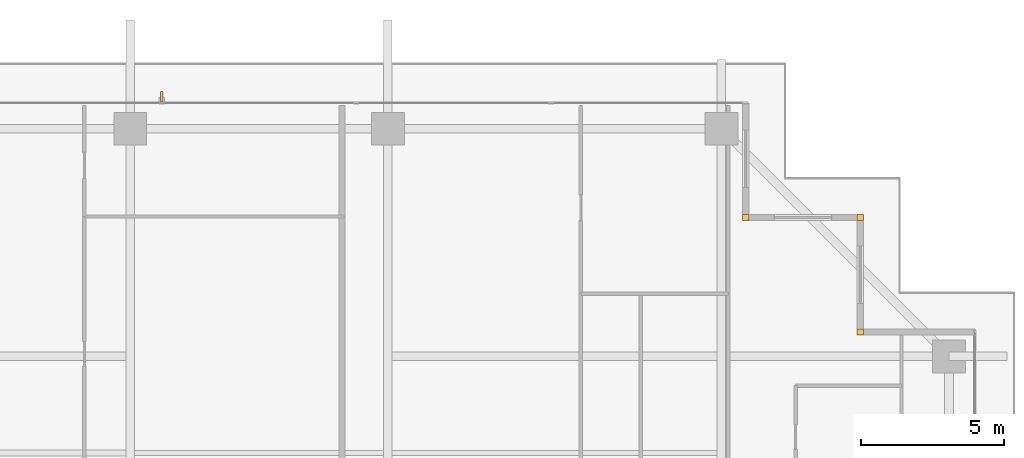
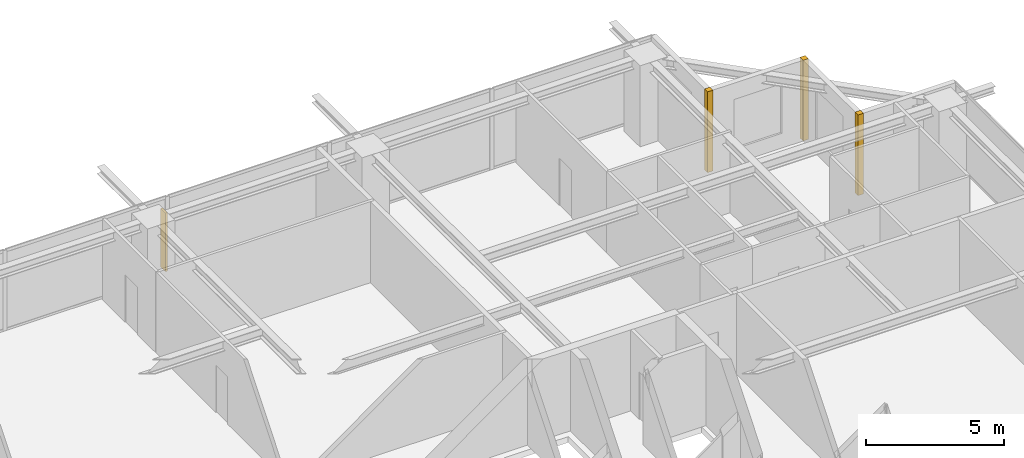
# One storey, part 37 of 37: 3 coverings, 1 shading device.
"""IFC4 building model written with IfcOpenShell, lengths in metres."""

from ifc_helpers import new_model, si_unit, direction, frame, origin, origin_2d, place, context, subcontext, project, spatial, rectangle, extrude, source, transform, mapped, material, layer, layer_set, type_object, element, save


model = new_model("IFC4")

# Units and contexts
model_context = context("Model", 3, precision=1e-05, world=origin(), true_north=direction((0.0, 1.0)))
body_context = subcontext(model_context, "Body", "Model", "MODEL_VIEW")
ifc_project = project(units=[si_unit("LENGTHUNIT", "METRE"), si_unit("AREAUNIT", "SQUARE_METRE"), si_unit("VOLUMEUNIT", "CUBIC_METRE"), si_unit("PLANEANGLEUNIT", "RADIAN"), si_unit("MASSUNIT", "GRAM", prefix="KILO")], contexts=[model_context])

# Site, building, storey
site_placement = place(None, origin())
site = spatial("IfcSite", under=ifc_project, at=site_placement, CompositionType="ELEMENT")
building_placement = place(site_placement, origin())
building = spatial("IfcBuilding", under=site, at=building_placement, Name="Serunith Strait Residences", CompositionType="ELEMENT")
storey_placement = place(building_placement, frame((0.0, 0.0, 218.14990234375)))
storey = spatial("IfcBuildingStorey", under=building, at=storey_placement, Name="L54", CompositionType="ELEMENT", Elevation=218.14990234375)

# Shading device
ifc_material_1 = material(Name="Pale-Champagne Perforated Aluminium Fin", Category="aluminium")
shading_device_type = type_object("IfcShadingDeviceType", Name="SHD-DIAG-FIN", PredefinedType="AWNING", material=ifc_material_1)
shared_shape_1 = source(origin(), body_context, "Body", "SweptSolid", [
    extrude(rectangle(XDim=0.080078125, YDim=0.35009765625, at=origin_2d()), origin(), (0.0, 0.0, 1.0), 2.60009765625),
])
shading_device_placement = place(storey_placement, frame((29.0, 49.419921875, 0.199951171875), z_axis=(0.0, 0.0, 1.0), x_axis=(1.0, 0.0, 0.0)))
element("IfcShadingDevice", 1, at=shading_device_placement, inside=storey, type_object=shading_device_type, Name="L54 Diagonal Rhythm Solar Fin N", PredefinedType="AWNING", context=body_context, shape_type="MappedRepresentation", body=[
    mapped(shared_shape_1, transform((0.0, 0.0, 0.0), scale=1.0)),
])

# Coverings
ifc_material_2 = material(Name="Pale-Champagne Anodised Aluminium", Category="aluminium")
ifc_layer = layer(ifc_material_2, 0.219970703125, Name="Pale-Champagne Anodised Aluminium")
ifc_layer_set = layer_set([ifc_layer], Name="Pale-Champagne Anodised Aluminium")
covering_type = type_object("IfcCoveringType", Name="COV-CORN-TRIM", PredefinedType="CLADDING", material=ifc_layer_set)
shared_shape_2 = source(origin(), body_context, "Body", "SweptSolid", [
    extrude(rectangle(XDim=0.221923828125, YDim=0.221923828125, at=origin_2d()), origin(), (0.0, 0.0, 1.0), 3.574951171875),
])
for number, where, z_axis, x_axis, name in (
    (2, (53.39990234375, 41.199951171875, 0.0), (0.0, 0.0, 1.0), (1.0, 0.0, 0.0), "L54 Girih Serrated Corner Trim Post 07"),
    (3, (53.39990234375, 45.199951171875, 0.0), (0.0, 0.0, 1.0), (1.0, 0.0, 0.0), "L54 Girih Serrated Corner Trim Post 08"),
    (4, (49.39990234375, 45.199951171875, 0.0), (0.0, 0.0, 1.0), (1.0, 0.0, 0.0), "L54 Girih Serrated Corner Trim Post 09"),
):
    element("IfcCovering", number, at=place(storey_placement, frame(where, z_axis=z_axis, x_axis=x_axis)), inside=storey, type_object=covering_type, Name=name, PredefinedType="CLADDING", context=body_context, shape_type="MappedRepresentation", body=[
        mapped(shared_shape_2, transform((0.0, 0.0, 0.0), scale=1.0)),
    ])

save(model, "model.ifc")
